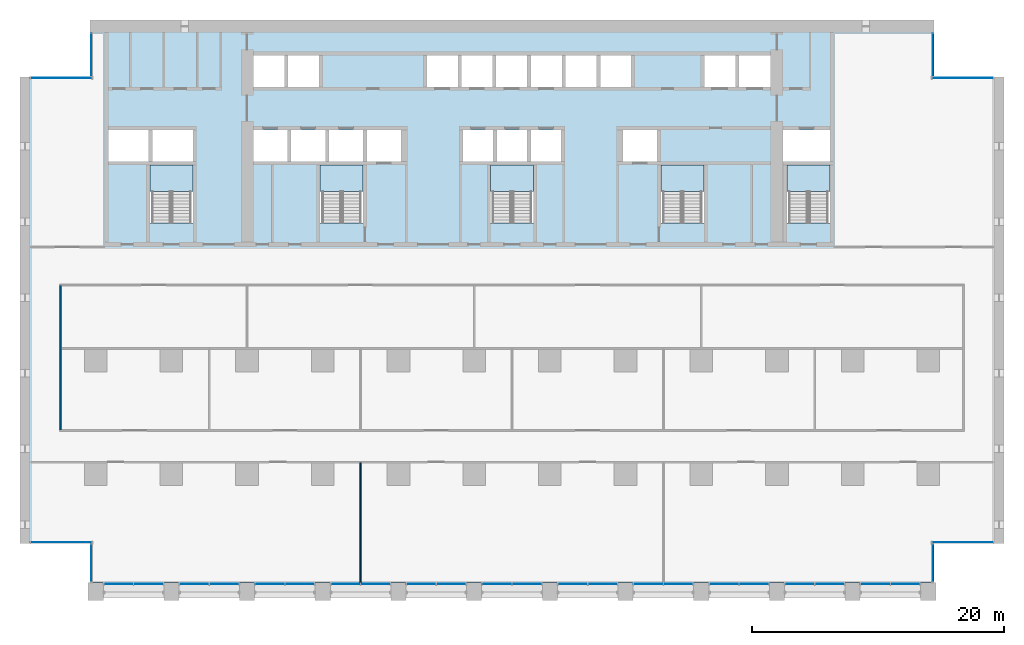
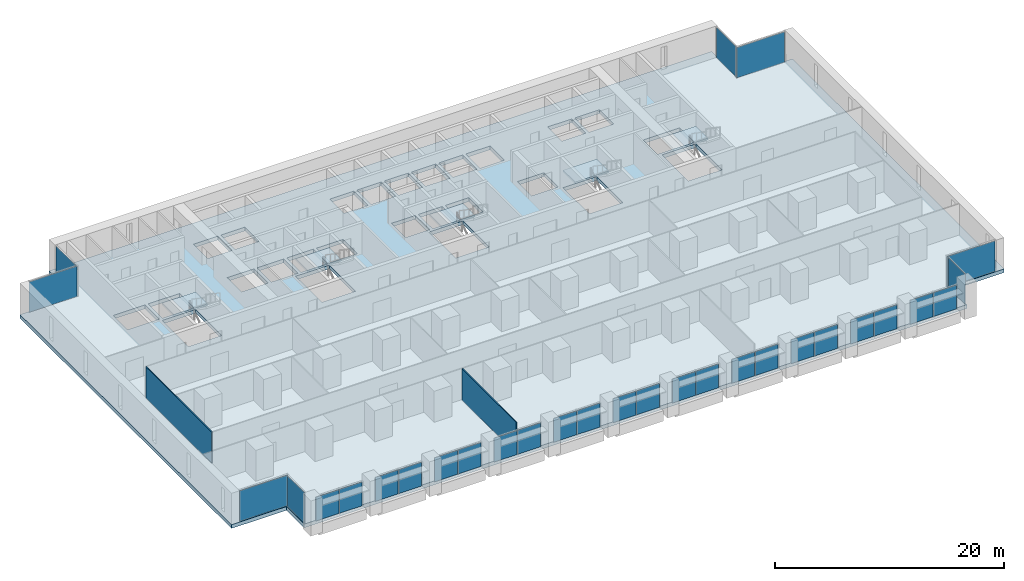
# One storey, part 7 of 18: 30 plates, 6 slabs, 2 walls, 24 elements without a shape of their own.
"""IFC4 building model written with IfcOpenShell, lengths in metres."""

from ifc_helpers import new_model, si_unit, direction, frame, frame_2d, origin, origin_2d, place, context, subcontext, project, spatial, polyline, rectangle, outline, extrude, material, layer, layer_set, type_object, element, aggregate, save


model = new_model("IFC4")

# Units and contexts
model_context = context("Model", 3, precision=1e-05, world=origin(), true_north=direction((0.0, 1.0)))
body_context = subcontext(model_context, "Body", "Model", "MODEL_VIEW")
ifc_project = project(units=[si_unit("LENGTHUNIT", "METRE"), si_unit("AREAUNIT", "SQUARE_METRE"), si_unit("VOLUMEUNIT", "CUBIC_METRE"), si_unit("PLANEANGLEUNIT", "RADIAN"), si_unit("MASSUNIT", "GRAM", prefix="KILO")], contexts=[model_context])

# Site, building, storey
site_placement = place(None, origin())
site = spatial("IfcSite", under=ifc_project, at=site_placement, CompositionType="ELEMENT")
building_placement = place(site_placement, origin())
building = spatial("IfcBuilding", under=site, at=building_placement, Name="Calvaro Tower", CompositionType="ELEMENT")
storey_placement = place(building_placement, frame((0.0, 0.0, 33.75)))
storey = spatial("IfcBuildingStorey", under=building, at=storey_placement, Name="L07", CompositionType="ELEMENT", Elevation=33.75)

# Slab
ifc_material_1 = material(Name="Concrete C40/50", Category="concrete")
ifc_layer_1 = layer(ifc_material_1, 0.39990234375)
ifc_layer_set_1 = layer_set([ifc_layer_1], Name="Concrete C40/50")
slab_type_1 = type_object("IfcSlabType", Name="Floor slab 400 C40/50", PredefinedType="FLOOR", material=ifc_layer_set_1)
slab_1_placement = place(storey_placement, frame((0.0, 0.0, -0.39990234375)))
element("IfcSlab", 1, at=slab_1_placement, inside=storey, type_object=slab_type_1, Name="Floor slab", PredefinedType="FLOOR", context=body_context, shape_type="SweptSolid", body=[
    extrude(outline(polyline([(72.449951171875, 4.5), (72.449951171875, 1.39990234375), (5.550048828125, 1.39990234375), (5.550048828125, 4.5), (0.0, 4.5), (0.0, 41.5), (5.550048828125, 41.5), (5.550048828125, 46.0), (72.449951171875, 46.0), (72.449951171875, 41.5), (78.0, 41.5), (78.0, 4.5), (72.449951171875, 4.5)]), holes=[polyline([(10.300048828125, 29.909912109375), (10.300048828125, 34.5), (12.0, 34.5), (13.699951171875, 34.5), (13.699951171875, 29.909912109375), (12.0, 29.909912109375), (10.300048828125, 29.909912109375)]), polyline([(23.800048828125, 29.909912109375), (23.800048828125, 34.5), (25.5, 34.5), (27.199951171875, 34.5), (27.199951171875, 29.909912109375), (25.5, 29.909912109375), (23.800048828125, 29.909912109375)]), polyline([(37.300048828125, 29.909912109375), (37.300048828125, 34.5), (39.0, 34.5), (40.699951171875, 34.5), (40.699951171875, 29.909912109375), (39.0, 29.909912109375), (37.300048828125, 29.909912109375)]), polyline([(50.800048828125, 29.909912109375), (50.800048828125, 34.5), (52.5, 34.5), (54.199951171875, 34.5), (54.199951171875, 29.909912109375), (52.5, 29.909912109375), (50.800048828125, 29.909912109375)]), polyline([(60.800048828125, 29.909912109375), (60.800048828125, 34.5), (62.5, 34.5), (64.199951171875, 34.5), (64.199951171875, 29.909912109375), (62.5, 29.909912109375), (60.800048828125, 29.909912109375)]), polyline([(18.5, 34.800048828125), (21.199951171875, 34.800048828125), (21.199951171875, 37.300048828125), (18.5, 37.300048828125), (18.5, 34.800048828125)]), polyline([(21.5, 34.800048828125), (24.199951171875, 34.800048828125), (24.199951171875, 37.300048828125), (21.5, 37.300048828125), (21.5, 34.800048828125)]), polyline([(24.5, 34.800048828125), (27.199951171875, 34.800048828125), (27.199951171875, 37.300048828125), (24.5, 37.300048828125), (24.5, 34.800048828125)]), polyline([(35.10009765625, 34.800048828125), (37.5, 34.800048828125), (37.5, 37.300048828125), (35.10009765625, 37.300048828125), (35.10009765625, 34.800048828125)]), polyline([(37.800048828125, 34.800048828125), (40.199951171875, 34.800048828125), (40.199951171875, 37.300048828125), (37.800048828125, 37.300048828125), (37.800048828125, 34.800048828125)]), polyline([(40.5, 34.800048828125), (42.89990234375, 34.800048828125), (42.89990234375, 37.300048828125), (40.5, 37.300048828125), (40.5, 34.800048828125)]), polyline([(18.5, 40.699951171875), (20.949951171875, 40.699951171875), (20.949951171875, 43.199951171875), (18.5, 43.199951171875), (18.5, 40.699951171875)]), polyline([(21.25, 40.699951171875), (23.699951171875, 40.699951171875), (23.699951171875, 43.199951171875), (21.25, 43.199951171875), (21.25, 40.699951171875)]), polyline([(32.25, 40.699951171875), (34.699951171875, 40.699951171875), (34.699951171875, 43.199951171875), (32.25, 43.199951171875), (32.25, 40.699951171875)]), polyline([(35.0, 40.699951171875), (37.449951171875, 40.699951171875), (37.449951171875, 43.199951171875), (35.0, 43.199951171875), (35.0, 40.699951171875)]), polyline([(37.75, 40.699951171875), (40.199951171875, 40.699951171875), (40.199951171875, 43.199951171875), (37.75, 43.199951171875), (37.75, 40.699951171875)]), polyline([(40.5, 40.699951171875), (42.949951171875, 40.699951171875), (42.949951171875, 43.199951171875), (40.5, 43.199951171875), (40.5, 40.699951171875)]), polyline([(43.25, 40.699951171875), (45.699951171875, 40.699951171875), (45.699951171875, 43.199951171875), (43.25, 43.199951171875), (43.25, 40.699951171875)]), polyline([(46.0, 40.699951171875), (48.449951171875, 40.699951171875), (48.449951171875, 43.199951171875), (46.0, 43.199951171875), (46.0, 40.699951171875)]), polyline([(54.25, 40.699951171875), (56.699951171875, 40.699951171875), (56.699951171875, 43.199951171875), (54.25, 43.199951171875), (54.25, 40.699951171875)]), polyline([(57.0, 40.699951171875), (59.5, 40.699951171875), (59.5, 43.199951171875), (57.0, 43.199951171875), (57.0, 40.699951171875)]), polyline([(7.0, 34.800048828125), (10.199951171875, 34.800048828125), (10.199951171875, 37.300048828125), (7.0, 37.300048828125), (7.0, 34.800048828125)]), polyline([(10.5, 34.800048828125), (13.699951171875, 34.800048828125), (13.699951171875, 37.300048828125), (10.5, 37.300048828125), (10.5, 34.800048828125)]), polyline([(60.5, 34.800048828125), (64.199951171875, 34.800048828125), (64.199951171875, 37.300048828125), (60.5, 37.300048828125), (60.5, 34.800048828125)]), polyline([(27.5, 34.800048828125), (30.199951171875, 34.800048828125), (30.199951171875, 37.300048828125), (27.5, 37.300048828125), (27.5, 34.800048828125)]), polyline([(47.800048828125, 34.800048828125), (50.5, 34.800048828125), (50.5, 37.300048828125), (47.800048828125, 37.300048828125), (47.800048828125, 34.800048828125)])]), origin(), (0.0, 0.0, 1.0), 0.39990234375),
])

# Curtain wall, plates
ifc_material_2 = material(Name="Anodised aluminium", Category="aluminium")
curtain_wall_type = type_object("IfcCurtainWallType", Name="Office curtain wall, lower zone", PredefinedType="NOTDEFINED", material=ifc_material_2)
curtain_wall_1_placement = place(storey_placement, origin())
curtain_wall_1 = element("IfcCurtainWall", 2, at=curtain_wall_1_placement, inside=storey, type_object=curtain_wall_type, Name="CW1 south curtain wall", PredefinedType="NOTDEFINED")
ifc_material_3 = material(Name="Glass", Category="glass")
ifc_layer_2 = layer(ifc_material_3, 0.028076171875)
ifc_layer_set_2 = layer_set([ifc_layer_2], Name="Glass")
plate_type = type_object("IfcPlateType", Name="Glass panel S1 28", PredefinedType="CURTAIN_PANEL", material=ifc_layer_set_2)
plate_1_placement = place(storey_placement, frame((7.81494140625, 1.300048828125, 0.0), z_axis=(0.0, 0.0, 1.0), x_axis=(1.0, 0.0, 0.0)))
plate_1 = element("IfcPlate", 3, at=plate_1_placement, type_object=plate_type, Name="CW1 glass panel 1.1", PredefinedType="CURTAIN_PANEL", context=body_context, shape_type="SweptSolid", body=[
    extrude(rectangle(XDim=2.31005859375, YDim=0.028076171875, at=origin_2d()), origin(), (0.0, 0.0, 1.0), 2.550048828125),
])
plate_2_placement = place(storey_placement, frame((10.18505859375, 1.300048828125, 0.0), z_axis=(0.0, 0.0, 1.0), x_axis=(1.0, 0.0, 0.0)))
plate_2 = element("IfcPlate", 4, at=plate_2_placement, type_object=plate_type, Name="CW1 glass panel 2.1", PredefinedType="CURTAIN_PANEL", context=body_context, shape_type="SweptSolid", body=[
    extrude(rectangle(XDim=2.31005859375, YDim=0.028076171875, at=origin_2d()), origin(), (0.0, 0.0, 1.0), 2.550048828125),
])
aggregate(curtain_wall_1, [plate_1, plate_2])

curtain_wall_2_placement = place(storey_placement, origin())
curtain_wall_2 = element("IfcCurtainWall", 5, at=curtain_wall_2_placement, inside=storey, type_object=curtain_wall_type, Name="CW1 south curtain wall", PredefinedType="NOTDEFINED")
plate_3_placement = place(storey_placement, frame((13.81494140625, 1.300048828125, 0.0), z_axis=(0.0, 0.0, 1.0), x_axis=(1.0, 0.0, 0.0)))
plate_3 = element("IfcPlate", 6, at=plate_3_placement, type_object=plate_type, Name="CW1 glass panel 1.1", PredefinedType="CURTAIN_PANEL", context=body_context, shape_type="SweptSolid", body=[
    extrude(rectangle(XDim=2.31005859375, YDim=0.028076171875, at=origin_2d()), origin(), (0.0, 0.0, 1.0), 2.550048828125),
])
plate_4_placement = place(storey_placement, frame((16.18505859375, 1.300048828125, 0.0), z_axis=(0.0, 0.0, 1.0), x_axis=(1.0, 0.0, 0.0)))
plate_4 = element("IfcPlate", 7, at=plate_4_placement, type_object=plate_type, Name="CW1 glass panel 2.1", PredefinedType="CURTAIN_PANEL", context=body_context, shape_type="SweptSolid", body=[
    extrude(rectangle(XDim=2.31005859375, YDim=0.028076171875, at=origin_2d()), origin(), (0.0, 0.0, 1.0), 2.550048828125),
])
aggregate(curtain_wall_2, [plate_3, plate_4])

curtain_wall_3_placement = place(storey_placement, origin())
curtain_wall_3 = element("IfcCurtainWall", 8, at=curtain_wall_3_placement, inside=storey, type_object=curtain_wall_type, Name="CW1 south curtain wall", PredefinedType="NOTDEFINED")
plate_5_placement = place(storey_placement, frame((19.81494140625, 1.300048828125, 0.0), z_axis=(0.0, 0.0, 1.0), x_axis=(1.0, 0.0, 0.0)))
plate_5 = element("IfcPlate", 9, at=plate_5_placement, type_object=plate_type, Name="CW1 glass panel 1.1", PredefinedType="CURTAIN_PANEL", context=body_context, shape_type="SweptSolid", body=[
    extrude(rectangle(XDim=2.31005859375, YDim=0.028076171875, at=origin_2d()), origin(), (0.0, 0.0, 1.0), 2.550048828125),
])
plate_6_placement = place(storey_placement, frame((22.18505859375, 1.300048828125, 0.0), z_axis=(0.0, 0.0, 1.0), x_axis=(1.0, 0.0, 0.0)))
plate_6 = element("IfcPlate", 10, at=plate_6_placement, type_object=plate_type, Name="CW1 glass panel 2.1", PredefinedType="CURTAIN_PANEL", context=body_context, shape_type="SweptSolid", body=[
    extrude(rectangle(XDim=2.31005859375, YDim=0.028076171875, at=origin_2d()), origin(), (0.0, 0.0, 1.0), 2.550048828125),
])
aggregate(curtain_wall_3, [plate_5, plate_6])

curtain_wall_4_placement = place(storey_placement, origin())
curtain_wall_4 = element("IfcCurtainWall", 11, at=curtain_wall_4_placement, inside=storey, type_object=curtain_wall_type, Name="CW1 south curtain wall", PredefinedType="NOTDEFINED")
plate_7_placement = place(storey_placement, frame((25.81494140625, 1.300048828125, 0.0), z_axis=(0.0, 0.0, 1.0), x_axis=(1.0, 0.0, 0.0)))
plate_7 = element("IfcPlate", 12, at=plate_7_placement, type_object=plate_type, Name="CW1 glass panel 1.1", PredefinedType="CURTAIN_PANEL", context=body_context, shape_type="SweptSolid", body=[
    extrude(rectangle(XDim=2.31005859375, YDim=0.028076171875, at=origin_2d()), origin(), (0.0, 0.0, 1.0), 2.550048828125),
])
plate_8_placement = place(storey_placement, frame((28.18505859375, 1.300048828125, 0.0), z_axis=(0.0, 0.0, 1.0), x_axis=(1.0, 0.0, 0.0)))
plate_8 = element("IfcPlate", 13, at=plate_8_placement, type_object=plate_type, Name="CW1 glass panel 2.1", PredefinedType="CURTAIN_PANEL", context=body_context, shape_type="SweptSolid", body=[
    extrude(rectangle(XDim=2.31005859375, YDim=0.028076171875, at=origin_2d()), origin(), (0.0, 0.0, 1.0), 2.550048828125),
])
aggregate(curtain_wall_4, [plate_7, plate_8])

curtain_wall_5_placement = place(storey_placement, origin())
curtain_wall_5 = element("IfcCurtainWall", 14, at=curtain_wall_5_placement, inside=storey, type_object=curtain_wall_type, Name="CW1 south curtain wall", PredefinedType="NOTDEFINED")
plate_9_placement = place(storey_placement, frame((31.81494140625, 1.300048828125, 0.0), z_axis=(0.0, 0.0, 1.0), x_axis=(1.0, 0.0, 0.0)))
plate_9 = element("IfcPlate", 15, at=plate_9_placement, type_object=plate_type, Name="CW1 glass panel 1.1", PredefinedType="CURTAIN_PANEL", context=body_context, shape_type="SweptSolid", body=[
    extrude(rectangle(XDim=2.31005859375, YDim=0.028076171875, at=origin_2d()), origin(), (0.0, 0.0, 1.0), 2.550048828125),
])
plate_10_placement = place(storey_placement, frame((34.18505859375, 1.300048828125, 0.0), z_axis=(0.0, 0.0, 1.0), x_axis=(1.0, 0.0, 0.0)))
plate_10 = element("IfcPlate", 16, at=plate_10_placement, type_object=plate_type, Name="CW1 glass panel 2.1", PredefinedType="CURTAIN_PANEL", context=body_context, shape_type="SweptSolid", body=[
    extrude(rectangle(XDim=2.31005859375, YDim=0.028076171875, at=origin_2d()), origin(), (0.0, 0.0, 1.0), 2.550048828125),
])
aggregate(curtain_wall_5, [plate_9, plate_10])

curtain_wall_6_placement = place(storey_placement, origin())
curtain_wall_6 = element("IfcCurtainWall", 17, at=curtain_wall_6_placement, inside=storey, type_object=curtain_wall_type, Name="CW1 south curtain wall", PredefinedType="NOTDEFINED")
plate_11_placement = place(storey_placement, frame((37.81494140625, 1.300048828125, 0.0), z_axis=(0.0, 0.0, 1.0), x_axis=(1.0, 0.0, 0.0)))
plate_11 = element("IfcPlate", 18, at=plate_11_placement, type_object=plate_type, Name="CW1 glass panel 1.1", PredefinedType="CURTAIN_PANEL", context=body_context, shape_type="SweptSolid", body=[
    extrude(rectangle(XDim=2.31005859375, YDim=0.028076171875, at=origin_2d()), origin(), (0.0, 0.0, 1.0), 2.550048828125),
])
plate_12_placement = place(storey_placement, frame((40.18505859375, 1.300048828125, 0.0), z_axis=(0.0, 0.0, 1.0), x_axis=(1.0, 0.0, 0.0)))
plate_12 = element("IfcPlate", 19, at=plate_12_placement, type_object=plate_type, Name="CW1 glass panel 2.1", PredefinedType="CURTAIN_PANEL", context=body_context, shape_type="SweptSolid", body=[
    extrude(rectangle(XDim=2.31005859375, YDim=0.028076171875, at=origin_2d()), origin(), (0.0, 0.0, 1.0), 2.550048828125),
])
aggregate(curtain_wall_6, [plate_11, plate_12])

curtain_wall_7_placement = place(storey_placement, origin())
curtain_wall_7 = element("IfcCurtainWall", 20, at=curtain_wall_7_placement, inside=storey, type_object=curtain_wall_type, Name="CW1 south curtain wall", PredefinedType="NOTDEFINED")
plate_13_placement = place(storey_placement, frame((43.81494140625, 1.300048828125, 0.0), z_axis=(0.0, 0.0, 1.0), x_axis=(1.0, 0.0, 0.0)))
plate_13 = element("IfcPlate", 21, at=plate_13_placement, type_object=plate_type, Name="CW1 glass panel 1.1", PredefinedType="CURTAIN_PANEL", context=body_context, shape_type="SweptSolid", body=[
    extrude(rectangle(XDim=2.31005859375, YDim=0.028076171875, at=origin_2d()), origin(), (0.0, 0.0, 1.0), 2.550048828125),
])
plate_14_placement = place(storey_placement, frame((46.18505859375, 1.300048828125, 0.0), z_axis=(0.0, 0.0, 1.0), x_axis=(1.0, 0.0, 0.0)))
plate_14 = element("IfcPlate", 22, at=plate_14_placement, type_object=plate_type, Name="CW1 glass panel 2.1", PredefinedType="CURTAIN_PANEL", context=body_context, shape_type="SweptSolid", body=[
    extrude(rectangle(XDim=2.31005859375, YDim=0.028076171875, at=origin_2d()), origin(), (0.0, 0.0, 1.0), 2.550048828125),
])
aggregate(curtain_wall_7, [plate_13, plate_14])

curtain_wall_8_placement = place(storey_placement, origin())
curtain_wall_8 = element("IfcCurtainWall", 23, at=curtain_wall_8_placement, inside=storey, type_object=curtain_wall_type, Name="CW1 south curtain wall", PredefinedType="NOTDEFINED")
plate_15_placement = place(storey_placement, frame((49.81494140625, 1.300048828125, 0.0), z_axis=(0.0, 0.0, 1.0), x_axis=(1.0, 0.0, 0.0)))
plate_15 = element("IfcPlate", 24, at=plate_15_placement, type_object=plate_type, Name="CW1 glass panel 1.1", PredefinedType="CURTAIN_PANEL", context=body_context, shape_type="SweptSolid", body=[
    extrude(rectangle(XDim=2.31005859375, YDim=0.028076171875, at=origin_2d()), origin(), (0.0, 0.0, 1.0), 2.550048828125),
])
plate_16_placement = place(storey_placement, frame((52.18505859375, 1.300048828125, 0.0), z_axis=(0.0, 0.0, 1.0), x_axis=(1.0, 0.0, 0.0)))
plate_16 = element("IfcPlate", 25, at=plate_16_placement, type_object=plate_type, Name="CW1 glass panel 2.1", PredefinedType="CURTAIN_PANEL", context=body_context, shape_type="SweptSolid", body=[
    extrude(rectangle(XDim=2.31005859375, YDim=0.028076171875, at=origin_2d()), origin(), (0.0, 0.0, 1.0), 2.550048828125),
])
aggregate(curtain_wall_8, [plate_15, plate_16])

curtain_wall_9_placement = place(storey_placement, origin())
curtain_wall_9 = element("IfcCurtainWall", 26, at=curtain_wall_9_placement, inside=storey, type_object=curtain_wall_type, Name="CW1 south curtain wall", PredefinedType="NOTDEFINED")
plate_17_placement = place(storey_placement, frame((55.81494140625, 1.300048828125, 0.0), z_axis=(0.0, 0.0, 1.0), x_axis=(1.0, 0.0, 0.0)))
plate_17 = element("IfcPlate", 27, at=plate_17_placement, type_object=plate_type, Name="CW1 glass panel 1.1", PredefinedType="CURTAIN_PANEL", context=body_context, shape_type="SweptSolid", body=[
    extrude(rectangle(XDim=2.31005859375, YDim=0.028076171875, at=origin_2d()), origin(), (0.0, 0.0, 1.0), 2.550048828125),
])
plate_18_placement = place(storey_placement, frame((58.18505859375, 1.300048828125, 0.0), z_axis=(0.0, 0.0, 1.0), x_axis=(1.0, 0.0, 0.0)))
plate_18 = element("IfcPlate", 28, at=plate_18_placement, type_object=plate_type, Name="CW1 glass panel 2.1", PredefinedType="CURTAIN_PANEL", context=body_context, shape_type="SweptSolid", body=[
    extrude(rectangle(XDim=2.31005859375, YDim=0.028076171875, at=origin_2d()), origin(), (0.0, 0.0, 1.0), 2.550048828125),
])
aggregate(curtain_wall_9, [plate_17, plate_18])

curtain_wall_10_placement = place(storey_placement, origin())
curtain_wall_10 = element("IfcCurtainWall", 29, at=curtain_wall_10_placement, inside=storey, type_object=curtain_wall_type, Name="CW1 south curtain wall", PredefinedType="NOTDEFINED")
plate_19_placement = place(storey_placement, frame((61.81494140625, 1.300048828125, 0.0), z_axis=(0.0, 0.0, 1.0), x_axis=(1.0, 0.0, 0.0)))
plate_19 = element("IfcPlate", 30, at=plate_19_placement, type_object=plate_type, Name="CW1 glass panel 1.1", PredefinedType="CURTAIN_PANEL", context=body_context, shape_type="SweptSolid", body=[
    extrude(rectangle(XDim=2.31005859375, YDim=0.028076171875, at=origin_2d()), origin(), (0.0, 0.0, 1.0), 2.550048828125),
])
plate_20_placement = place(storey_placement, frame((64.18505859375, 1.300048828125, 0.0), z_axis=(0.0, 0.0, 1.0), x_axis=(1.0, 0.0, 0.0)))
plate_20 = element("IfcPlate", 31, at=plate_20_placement, type_object=plate_type, Name="CW1 glass panel 2.1", PredefinedType="CURTAIN_PANEL", context=body_context, shape_type="SweptSolid", body=[
    extrude(rectangle(XDim=2.31005859375, YDim=0.028076171875, at=origin_2d()), origin(), (0.0, 0.0, 1.0), 2.550048828125),
])
aggregate(curtain_wall_10, [plate_19, plate_20])

curtain_wall_11_placement = place(storey_placement, origin())
curtain_wall_11 = element("IfcCurtainWall", 32, at=curtain_wall_11_placement, inside=storey, type_object=curtain_wall_type, Name="CW1 south curtain wall", PredefinedType="NOTDEFINED")
plate_21_placement = place(storey_placement, frame((67.81494140625, 1.300048828125, 0.0), z_axis=(0.0, 0.0, 1.0), x_axis=(1.0, 0.0, 0.0)))
plate_21 = element("IfcPlate", 33, at=plate_21_placement, type_object=plate_type, Name="CW1 glass panel 1.1", PredefinedType="CURTAIN_PANEL", context=body_context, shape_type="SweptSolid", body=[
    extrude(rectangle(XDim=2.31005859375, YDim=0.028076171875, at=origin_2d()), origin(), (0.0, 0.0, 1.0), 2.550048828125),
])
plate_22_placement = place(storey_placement, frame((70.18505859375, 1.300048828125, 0.0), z_axis=(0.0, 0.0, 1.0), x_axis=(1.0, 0.0, 0.0)))
plate_22 = element("IfcPlate", 34, at=plate_22_placement, type_object=plate_type, Name="CW1 glass panel 2.1", PredefinedType="CURTAIN_PANEL", context=body_context, shape_type="SweptSolid", body=[
    extrude(rectangle(XDim=2.31005859375, YDim=0.028076171875, at=origin_2d()), origin(), (0.0, 0.0, 1.0), 2.550048828125),
])
aggregate(curtain_wall_11, [plate_21, plate_22])

# Curtain wall, plate
curtain_wall_12_placement = place(storey_placement, origin())
curtain_wall_12 = element("IfcCurtainWall", 35, at=curtain_wall_12_placement, inside=storey, type_object=curtain_wall_type, Name="CW1 corner curtain wall", PredefinedType="NOTDEFINED")
plate_23_placement = place(storey_placement, frame((5.64990234375, 2.949951171875, 0.0), z_axis=(0.0, 0.0, 1.0), x_axis=(0.0, 1.0, 0.0)))
plate_23 = element("IfcPlate", 36, at=plate_23_placement, type_object=plate_type, Name="CW1 glass panel 1.1", PredefinedType="CURTAIN_PANEL", context=body_context, shape_type="SweptSolid", body=[
    extrude(rectangle(XDim=2.97998046875, YDim=0.028076171875, at=origin_2d()), origin(), (0.0, 0.0, 1.0), 3.25),
])
aggregate(curtain_wall_12, [plate_23])

curtain_wall_13_placement = place(storey_placement, origin())
curtain_wall_13 = element("IfcCurtainWall", 37, at=curtain_wall_13_placement, inside=storey, type_object=curtain_wall_type, Name="CW1 corner curtain wall", PredefinedType="NOTDEFINED")
plate_24_placement = place(storey_placement, frame((3.27490234375, 4.60009765625, 0.0), z_axis=(0.0, 0.0, 1.0), x_axis=(1.0, 0.0, 0.0)))
plate_24 = element("IfcPlate", 38, at=plate_24_placement, type_object=plate_type, Name="CW1 glass panel 1.1", PredefinedType="CURTAIN_PANEL", context=body_context, shape_type="SweptSolid", body=[
    extrude(rectangle(XDim=4.830078125, YDim=0.028076171875, at=origin_2d()), origin(), (0.0, 0.0, 1.0), 3.25),
])
aggregate(curtain_wall_13, [plate_24])

curtain_wall_14_placement = place(storey_placement, origin())
curtain_wall_14 = element("IfcCurtainWall", 39, at=curtain_wall_14_placement, inside=storey, type_object=curtain_wall_type, Name="CW1 corner curtain wall", PredefinedType="NOTDEFINED")
plate_25_placement = place(storey_placement, frame((5.64990234375, 43.25, 0.0), z_axis=(0.0, 0.0, 1.0), x_axis=(0.0, 1.0, 0.0)))
plate_25 = element("IfcPlate", 40, at=plate_25_placement, type_object=plate_type, Name="CW1 glass panel 1.1", PredefinedType="CURTAIN_PANEL", context=body_context, shape_type="SweptSolid", body=[
    extrude(rectangle(XDim=3.3798828125, YDim=0.028076171875, at=origin_2d()), origin(), (0.0, 0.0, 1.0), 3.25),
])
aggregate(curtain_wall_14, [plate_25])

curtain_wall_15_placement = place(storey_placement, origin())
curtain_wall_15 = element("IfcCurtainWall", 41, at=curtain_wall_15_placement, inside=storey, type_object=curtain_wall_type, Name="CW1 corner curtain wall", PredefinedType="NOTDEFINED")
plate_26_placement = place(storey_placement, frame((3.27490234375, 41.39990234375, 0.0), z_axis=(0.0, 0.0, 1.0), x_axis=(1.0, 0.0, 0.0)))
plate_26 = element("IfcPlate", 42, at=plate_26_placement, type_object=plate_type, Name="CW1 glass panel 1.1", PredefinedType="CURTAIN_PANEL", context=body_context, shape_type="SweptSolid", body=[
    extrude(rectangle(XDim=4.830078125, YDim=0.028076171875, at=origin_2d()), origin(), (0.0, 0.0, 1.0), 3.25),
])
aggregate(curtain_wall_15, [plate_26])

curtain_wall_16_placement = place(storey_placement, origin())
curtain_wall_16 = element("IfcCurtainWall", 43, at=curtain_wall_16_placement, inside=storey, type_object=curtain_wall_type, Name="CW1 corner curtain wall", PredefinedType="NOTDEFINED")
plate_27_placement = place(storey_placement, frame((72.35009765625, 2.949951171875, 0.0), z_axis=(0.0, 0.0, 1.0), x_axis=(0.0, 1.0, 0.0)))
plate_27 = element("IfcPlate", 44, at=plate_27_placement, type_object=plate_type, Name="CW1 glass panel 1.1", PredefinedType="CURTAIN_PANEL", context=body_context, shape_type="SweptSolid", body=[
    extrude(rectangle(XDim=2.97998046875, YDim=0.028076171875, at=origin_2d()), origin(), (0.0, 0.0, 1.0), 3.25),
])
aggregate(curtain_wall_16, [plate_27])

curtain_wall_17_placement = place(storey_placement, origin())
curtain_wall_17 = element("IfcCurtainWall", 45, at=curtain_wall_17_placement, inside=storey, type_object=curtain_wall_type, Name="CW1 corner curtain wall", PredefinedType="NOTDEFINED")
plate_28_placement = place(storey_placement, frame((74.72509765625, 4.60009765625, 0.0), z_axis=(0.0, 0.0, 1.0), x_axis=(1.0, 0.0, 0.0)))
plate_28 = element("IfcPlate", 46, at=plate_28_placement, type_object=plate_type, Name="CW1 glass panel 1.1", PredefinedType="CURTAIN_PANEL", context=body_context, shape_type="SweptSolid", body=[
    extrude(rectangle(XDim=4.830078125, YDim=0.028076171875, at=origin_2d()), origin(), (0.0, 0.0, 1.0), 3.25),
])
aggregate(curtain_wall_17, [plate_28])

curtain_wall_18_placement = place(storey_placement, origin())
curtain_wall_18 = element("IfcCurtainWall", 47, at=curtain_wall_18_placement, inside=storey, type_object=curtain_wall_type, Name="CW1 corner curtain wall", PredefinedType="NOTDEFINED")
plate_29_placement = place(storey_placement, frame((72.35009765625, 43.25, 0.0), z_axis=(0.0, 0.0, 1.0), x_axis=(0.0, 1.0, 0.0)))
plate_29 = element("IfcPlate", 48, at=plate_29_placement, type_object=plate_type, Name="CW1 glass panel 1.1", PredefinedType="CURTAIN_PANEL", context=body_context, shape_type="SweptSolid", body=[
    extrude(rectangle(XDim=3.3798828125, YDim=0.028076171875, at=origin_2d()), origin(), (0.0, 0.0, 1.0), 3.25),
])
aggregate(curtain_wall_18, [plate_29])

curtain_wall_19_placement = place(storey_placement, origin())
curtain_wall_19 = element("IfcCurtainWall", 49, at=curtain_wall_19_placement, inside=storey, type_object=curtain_wall_type, Name="CW1 corner curtain wall", PredefinedType="NOTDEFINED")
plate_30_placement = place(storey_placement, frame((74.72509765625, 41.39990234375, 0.0), z_axis=(0.0, 0.0, 1.0), x_axis=(1.0, 0.0, 0.0)))
plate_30 = element("IfcPlate", 50, at=plate_30_placement, type_object=plate_type, Name="CW1 glass panel 1.1", PredefinedType="CURTAIN_PANEL", context=body_context, shape_type="SweptSolid", body=[
    extrude(rectangle(XDim=4.830078125, YDim=0.028076171875, at=origin_2d()), origin(), (0.0, 0.0, 1.0), 3.25),
])
aggregate(curtain_wall_19, [plate_30])

# Stair, slab
ifc_material_4 = material(Name="Concrete C40/50", Category="concrete")
stair_type = type_object("IfcStairType", Name="Exit stair 1400 2 flights", PredefinedType="HALF_TURN_STAIR", material=ifc_material_4)
stair_1_placement = place(storey_placement, origin())
stair_1 = element("IfcStair", 51, at=stair_1_placement, inside=storey, type_object=stair_type, Name="Exit stair S1", PredefinedType="HALF_TURN_STAIR")
ifc_material_5 = material(Name="Concrete C40/50", Category="concrete")
ifc_layer_3 = layer(ifc_material_5, 0.199951171875)
ifc_layer_set_3 = layer_set([ifc_layer_3], Name="Concrete C40/50")
slab_type_2 = type_object("IfcSlabType", Name="Stair landing", PredefinedType="LANDING", material=ifc_layer_set_3)
slab_2_placement = place(storey_placement, frame((0.0, 0.0, 1.675048828125)))
slab_2 = element("IfcSlab", 52, at=slab_2_placement, type_object=slab_type_2, Name="Exit stair 1, landing 1", PredefinedType="LANDING", context=body_context, shape_type="SweptSolid", body=[
    extrude(outline(polyline([(11.89990234375, 32.389892578125), (10.5, 32.389892578125), (10.5, 32.39990234375), (10.300048828125, 32.39990234375), (10.300048828125, 34.5), (10.5, 34.5), (11.89990234375, 34.5), (12.10009765625, 34.5), (13.5, 34.5), (13.699951171875, 34.5), (13.699951171875, 32.39990234375), (13.5, 32.39990234375), (13.5, 32.389892578125), (12.10009765625, 32.389892578125), (12.10009765625, 32.39990234375), (11.89990234375, 32.39990234375), (11.89990234375, 32.389892578125)])), origin(), (0.0, 0.0, 1.0), 0.199951171875),
])
aggregate(stair_1, [slab_2])

stair_2_placement = place(storey_placement, origin())
stair_2 = element("IfcStair", 53, at=stair_2_placement, inside=storey, type_object=stair_type, Name="Exit stair S2", PredefinedType="HALF_TURN_STAIR")
slab_3_placement = place(storey_placement, frame((0.0, 0.0, 1.675048828125)))
slab_3 = element("IfcSlab", 54, at=slab_3_placement, type_object=slab_type_2, Name="Exit stair 2, landing 1", PredefinedType="LANDING", context=body_context, shape_type="SweptSolid", body=[
    extrude(outline(polyline([(25.39990234375, 32.389892578125), (24.0, 32.389892578125), (24.0, 32.39990234375), (23.800048828125, 32.39990234375), (23.800048828125, 34.5), (24.0, 34.5), (25.39990234375, 34.5), (25.60009765625, 34.5), (27.0, 34.5), (27.199951171875, 34.5), (27.199951171875, 32.39990234375), (27.0, 32.39990234375), (27.0, 32.389892578125), (25.60009765625, 32.389892578125), (25.60009765625, 32.39990234375), (25.39990234375, 32.39990234375), (25.39990234375, 32.389892578125)])), origin(), (0.0, 0.0, 1.0), 0.199951171875),
])
aggregate(stair_2, [slab_3])

stair_3_placement = place(storey_placement, origin())
stair_3 = element("IfcStair", 55, at=stair_3_placement, inside=storey, type_object=stair_type, Name="Exit stair S3", PredefinedType="HALF_TURN_STAIR")
slab_4_placement = place(storey_placement, frame((0.0, 0.0, 1.675048828125)))
slab_4 = element("IfcSlab", 56, at=slab_4_placement, type_object=slab_type_2, Name="Exit stair 3, landing 1", PredefinedType="LANDING", context=body_context, shape_type="SweptSolid", body=[
    extrude(outline(polyline([(38.89990234375, 32.389892578125), (37.5, 32.389892578125), (37.5, 32.39990234375), (37.300048828125, 32.39990234375), (37.300048828125, 34.5), (37.5, 34.5), (38.89990234375, 34.5), (39.10009765625, 34.5), (40.5, 34.5), (40.699951171875, 34.5), (40.699951171875, 32.39990234375), (40.5, 32.39990234375), (40.5, 32.389892578125), (39.10009765625, 32.389892578125), (39.10009765625, 32.39990234375), (38.89990234375, 32.39990234375), (38.89990234375, 32.389892578125)])), origin(), (0.0, 0.0, 1.0), 0.199951171875),
])
aggregate(stair_3, [slab_4])

stair_4_placement = place(storey_placement, origin())
stair_4 = element("IfcStair", 57, at=stair_4_placement, inside=storey, type_object=stair_type, Name="Exit stair S4", PredefinedType="HALF_TURN_STAIR")
slab_5_placement = place(storey_placement, frame((0.0, 0.0, 1.675048828125)))
slab_5 = element("IfcSlab", 58, at=slab_5_placement, type_object=slab_type_2, Name="Exit stair 4, landing 1", PredefinedType="LANDING", context=body_context, shape_type="SweptSolid", body=[
    extrude(outline(polyline([(52.39990234375, 32.389892578125), (51.0, 32.389892578125), (51.0, 32.39990234375), (50.800048828125, 32.39990234375), (50.800048828125, 34.5), (51.0, 34.5), (52.39990234375, 34.5), (52.60009765625, 34.5), (54.0, 34.5), (54.199951171875, 34.5), (54.199951171875, 32.39990234375), (54.0, 32.39990234375), (54.0, 32.389892578125), (52.60009765625, 32.389892578125), (52.60009765625, 32.39990234375), (52.39990234375, 32.39990234375), (52.39990234375, 32.389892578125)])), origin(), (0.0, 0.0, 1.0), 0.199951171875),
])
aggregate(stair_4, [slab_5])

stair_5_placement = place(storey_placement, origin())
stair_5 = element("IfcStair", 59, at=stair_5_placement, inside=storey, type_object=stair_type, Name="Exit stair S5", PredefinedType="HALF_TURN_STAIR")
slab_6_placement = place(storey_placement, frame((0.0, 0.0, 1.675048828125)))
slab_6 = element("IfcSlab", 60, at=slab_6_placement, type_object=slab_type_2, Name="Exit stair 5, landing 1", PredefinedType="LANDING", context=body_context, shape_type="SweptSolid", body=[
    extrude(outline(polyline([(62.39990234375, 32.389892578125), (61.0, 32.389892578125), (61.0, 32.39990234375), (60.800048828125, 32.39990234375), (60.800048828125, 34.5), (61.0, 34.5), (62.39990234375, 34.5), (62.60009765625, 34.5), (64.0, 34.5), (64.199951171875, 34.5), (64.199951171875, 32.39990234375), (64.0, 32.39990234375), (64.0, 32.389892578125), (62.60009765625, 32.389892578125), (62.60009765625, 32.39990234375), (62.39990234375, 32.39990234375), (62.39990234375, 32.389892578125)])), origin(), (0.0, 0.0, 1.0), 0.199951171875),
])
aggregate(stair_5, [slab_6])

# Walls
ifc_material_6 = material(Name="Plasterboard on steel studs", Category="steel")
ifc_layer_4 = layer(ifc_material_6, 0.10009765625)
ifc_layer_set_4 = layer_set([ifc_layer_4], Name="Plasterboard on steel studs")
wall_type = type_object("IfcWallType", Name="Partition 100", PredefinedType="PARTITIONING", material=ifc_layer_set_4)
wall_1_placement = place(storey_placement, frame((3.199951171875, 13.5, 0.0), z_axis=(0.0, 0.0, 1.0), x_axis=(0.0, 1.0, 0.0)))
element("IfcWall", 61, at=wall_1_placement, inside=storey, type_object=wall_type, Name="Partition T08.W007", PredefinedType="PARTITIONING", context=body_context, shape_type="SweptSolid", body=[
    extrude(rectangle(XDim=11.449951171875, YDim=0.10009765625, at=frame_2d((5.72509765625, 0.0))), origin(), (0.0, 0.0, 1.0), 3.35009765625),
])
wall_2_placement = place(storey_placement, frame((27.0, 1.39990234375, 0.0), z_axis=(0.0, 0.0, 1.0), x_axis=(0.0, 1.0, 0.0)))
element("IfcWall", 62, at=wall_2_placement, inside=storey, type_object=wall_type, Name="Partition T08.W010", PredefinedType="PARTITIONING", context=body_context, shape_type="SweptSolid", body=[
    extrude(rectangle(XDim=9.5, YDim=0.10009765625, at=frame_2d((4.75, 0.0))), origin(), (0.0, 0.0, 1.0), 3.35009765625),
])

save(model, "model.ifc")
